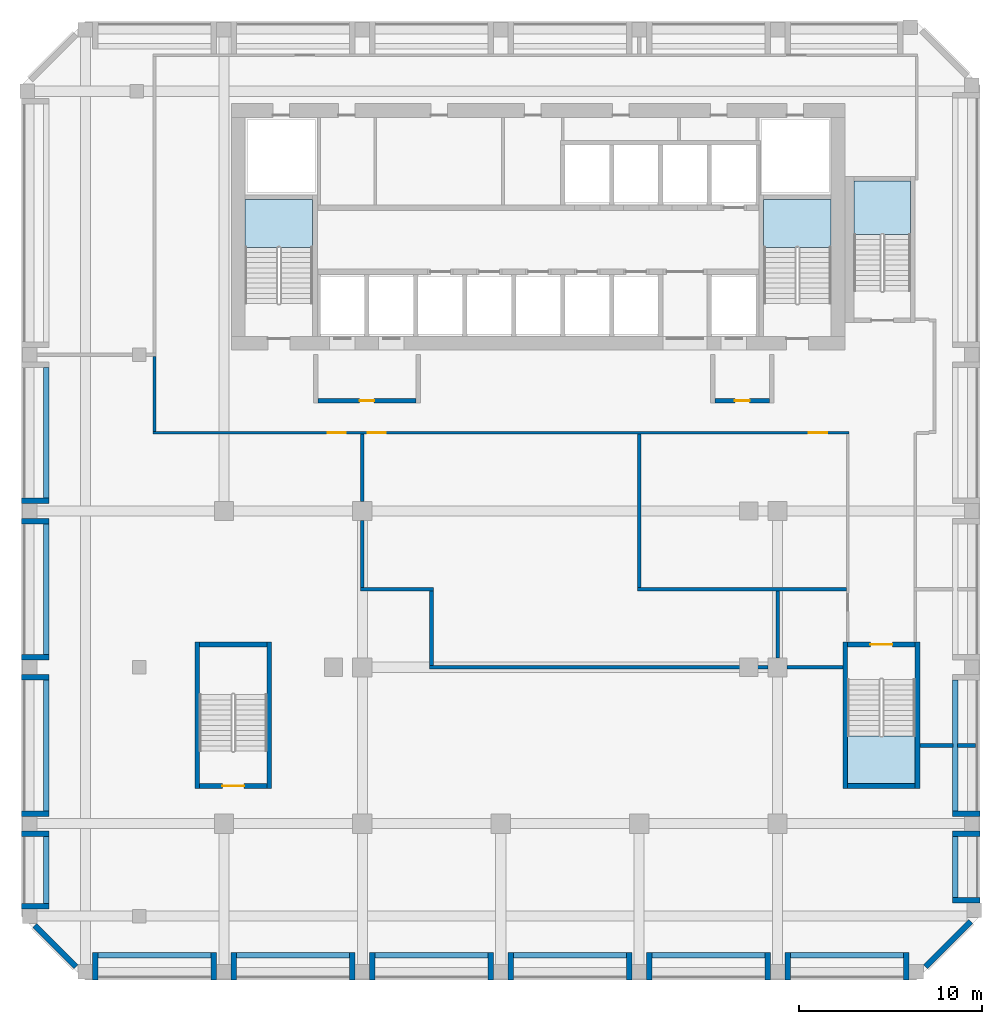
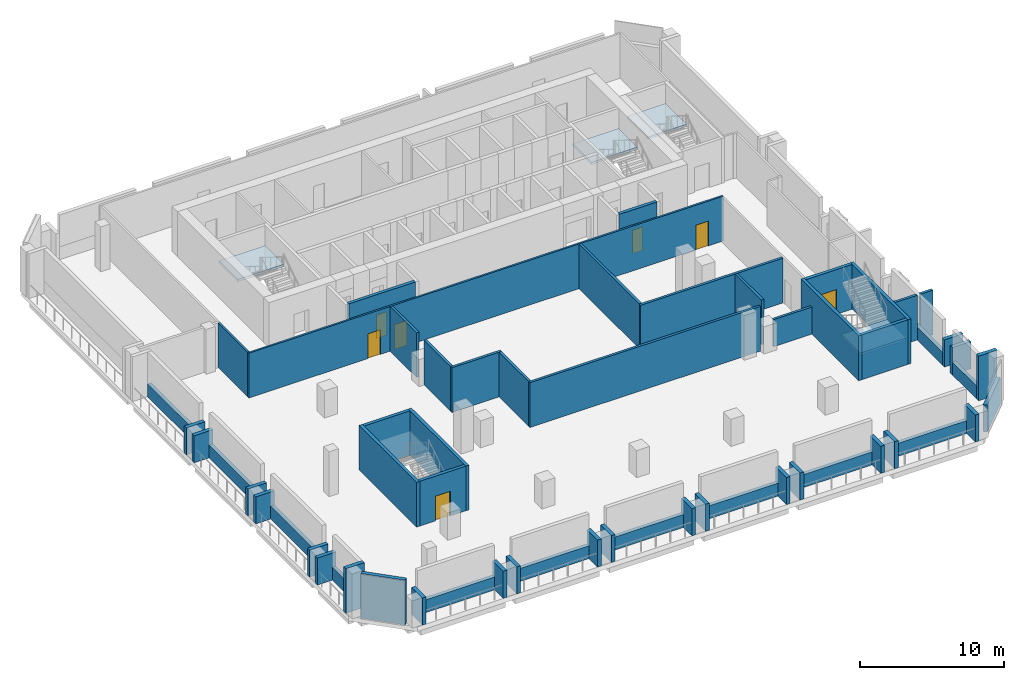
# One storey, part 2 of 9: 59 walls, 7 doors, 4 slabs, 7 openings, 4 elements without a shape of their own.
"""IFC4 building model written with IfcOpenShell, lengths in metres."""

import ifcopenshell
import ifcopenshell.guid

model = None  # the IFC model being written
_history = None  # IfcOwnerHistory: only IFC2X3 demands one
_inside = {}  # id of a spatial element -> (the spatial element, [elements in it])
_under = {}  # id of a project, library or spatial element -> (it, [spatial elements below it])
_declared = {}  # id of a project -> (the project, [libraries it declares])
_typed = {}  # id of a type object -> (the type object, [elements of that type])
_made_of = {}  # id of a material, layer set ... -> (it, [elements and type objects made of it])


def new_model(schema):
    """Start an empty IFC model of exactly this schema.

    Asked for "IFC4X3", IfcOpenShell would pick the latest addendum, in which some entities
    have other attributes; the version numbers below select the first issue.
    IFC2X3 requires an IfcOwnerHistory on every rooted entity: one is made here for all.
    """
    global model, _history
    if schema == "IFC4X3":
        model = ifcopenshell.file(schema_version=(4, 3, 0, 0))
    else:
        model = ifcopenshell.file(schema=schema)
    _inside.clear()
    _under.clear()
    _declared.clear()
    _typed.clear()
    _made_of.clear()
    _history = None
    if model.schema == "IFC2X3":
        org = make("IfcOrganization", Name="unknown")
        user = make(
            "IfcPersonAndOrganization",
            ThePerson=make("IfcPerson", FamilyName="unknown"),
            TheOrganization=org,
        )
        app = make(
            "IfcApplication",
            ApplicationDeveloper=org,
            Version="unknown",
            ApplicationFullName="unknown",
            ApplicationIdentifier="unknown",
        )
        _history = make(
            "IfcOwnerHistory",
            OwningUser=user,
            OwningApplication=app,
            ChangeAction="ADDED",
            CreationDate=0,
        )
    return model


def make(cls, **values):
    """One entity of the class cls with the attributes given. An attribute that is None is left unset."""
    return model.create_entity(
        cls, **{name: value for name, value in values.items() if value is not None}
    )


def rooted(cls, **values):
    """An entity with a GlobalId (a new one), such as an element, a storey or a relation."""
    return make(cls, GlobalId=ifcopenshell.guid.new(), OwnerHistory=_history, **values)


def si_unit(unit_type, name, prefix=None):
    """IfcSIUnit, for example si_unit("LENGTHUNIT", "METRE", prefix="MILLI")."""
    return make("IfcSIUnit", UnitType=unit_type, Prefix=prefix, Name=name)


def assignment(units):
    """IfcUnitAssignment: the units of a project."""
    return None if units is None else make("IfcUnitAssignment", Units=units)


def point(xyz):
    """IfcCartesianPoint."""
    return None if xyz is None else make("IfcCartesianPoint", Coordinates=xyz)


def direction(xyz):
    """IfcDirection."""
    return None if xyz is None else make("IfcDirection", DirectionRatios=xyz)


def frame(location, z_axis=None, x_axis=None):
    """IfcAxis2Placement3D, a coordinate frame: its origin and axes. An axis left out is left unset."""
    return make(
        "IfcAxis2Placement3D",
        Location=point(location),
        Axis=direction(z_axis),
        RefDirection=direction(x_axis),
    )


def frame_2d(location, x_axis=None):
    """IfcAxis2Placement2D, a coordinate frame in the plane: its origin and x axis."""
    return make(
        "IfcAxis2Placement2D", Location=point(location), RefDirection=direction(x_axis)
    )


def origin():
    """The frame at (0, 0, 0) with its axes left unset."""
    return frame((0.0, 0.0, 0.0))


def place(relative_to, where):
    """IfcLocalPlacement: puts the frame where relative to a parent placement (None: the world)."""
    return make(
        "IfcLocalPlacement", PlacementRelTo=relative_to, RelativePlacement=where
    )


def context(
    kind, dimensions, precision=None, world=None, true_north=None, identifier=None
):
    """IfcGeometricRepresentationContext, for example the 3D "Model" context."""
    return make(
        "IfcGeometricRepresentationContext",
        ContextIdentifier=identifier,
        ContextType=kind,
        CoordinateSpaceDimension=dimensions,
        Precision=precision,
        WorldCoordinateSystem=world,
        TrueNorth=true_north,
    )


def subcontext(parent, identifier, kind, view, scale=None):
    """IfcGeometricRepresentationSubContext, for example "Body" below "Model"."""
    return make(
        "IfcGeometricRepresentationSubContext",
        ContextIdentifier=identifier,
        ContextType=kind,
        ParentContext=parent,
        TargetScale=scale,
        TargetView=view,
    )


def project(units=None, contexts=None):
    """IfcProject with its units and contexts."""
    return rooted(
        "IfcProject",
        Name="project",
        RepresentationContexts=contexts,
        UnitsInContext=assignment(units),
    )


def spatial(cls, under=None, at=None, **own):
    """A site, building, storey or space (cls), placed at a placement, below another one or the project."""
    s = rooted(cls, ObjectPlacement=at, **own)
    if under is not None:
        _under.setdefault(under.id(), (under, []))[1].append(s)
    return s


def polyline(points):
    """IfcPolyline through the points."""
    return make("IfcPolyline", Points=[point(p) for p in points])


def profile(cls, at=None, kind="AREA", **sizes):
    """A parametric profile (cls). Its sizes go by their IFC names, for example OverallWidth=200.0."""
    return make(cls, ProfileType=kind, Position=at, **sizes)


def rectangle(**sizes):
    """IfcRectangleProfileDef."""
    return profile("IfcRectangleProfileDef", **sizes)


def outline(outer, holes=None, kind="AREA"):
    """IfcArbitraryClosedProfileDef: a profile drawn as a closed curve; with holes, ...WithVoids."""
    if holes is None:
        return make("IfcArbitraryClosedProfileDef", ProfileType=kind, OuterCurve=outer)
    return make(
        "IfcArbitraryProfileDefWithVoids",
        ProfileType=kind,
        OuterCurve=outer,
        InnerCurves=holes,
    )


def extrude(swept, where, along, depth):
    """IfcExtrudedAreaSolid: the profile swept, set in the frame where, extruded along a direction by depth."""
    return make(
        "IfcExtrudedAreaSolid",
        SweptArea=swept,
        Position=where,
        ExtrudedDirection=direction(along),
        Depth=depth,
    )


def shape(context_of_items, identifier, shape_type, items):
    """IfcShapeRepresentation: the items that make up one representation, for example the "Body"."""
    return make(
        "IfcShapeRepresentation",
        ContextOfItems=context_of_items,
        RepresentationIdentifier=identifier,
        RepresentationType=shape_type,
        Items=items,
    )


def source(mapping_origin, context_of_items, identifier, shape_type, items):
    """IfcRepresentationMap: a shape defined once, which mapped items show again and again."""
    return make(
        "IfcRepresentationMap",
        MappingOrigin=mapping_origin,
        MappedRepresentation=shape(context_of_items, identifier, shape_type, items),
    )


def transform(
    local_origin,
    x_axis=None,
    y_axis=None,
    z_axis=None,
    scale=None,
    scale2=None,
    scale3=None,
    uniform=True,
):
    """IfcCartesianTransformationOperator3D, or its non-uniform kind. x_axis, y_axis, z_axis: its Axis1, 2, 3."""
    if uniform:
        return make(
            "IfcCartesianTransformationOperator3D",
            Axis1=direction(x_axis),
            Axis2=direction(y_axis),
            LocalOrigin=point(local_origin),
            Scale=scale,
            Axis3=direction(z_axis),
        )
    return make(
        "IfcCartesianTransformationOperator3DnonUniform",
        Axis1=direction(x_axis),
        Axis2=direction(y_axis),
        LocalOrigin=point(local_origin),
        Scale=scale,
        Axis3=direction(z_axis),
        Scale2=scale2,
        Scale3=scale3,
    )


def mapped(mapping_source, mapping_target):
    """IfcMappedItem: shows the shape of a source again, moved by a transform."""
    return make(
        "IfcMappedItem", MappingSource=mapping_source, MappingTarget=mapping_target
    )


def material(Name=None, Category=None):
    """IfcMaterial."""
    return make("IfcMaterial", Name=Name, Category=Category)


def layer(
    of_material, thickness, ventilated=None, Name=None, Category=None, Priority=None
):
    """IfcMaterialLayer: one layer of a wall or slab, of a material (None: an air gap)."""
    return make(
        "IfcMaterialLayer",
        Material=of_material,
        LayerThickness=thickness,
        IsVentilated=ventilated,
        Name=Name,
        Category=Category,
        Priority=Priority,
    )


def layer_set(layers, Name=None):
    """IfcMaterialLayerSet."""
    return make("IfcMaterialLayerSet", MaterialLayers=layers, LayerSetName=Name)


def made_of(thing, what):
    """Note that an element or type object is made of a material, layer set ...; save() writes the relation."""
    if what is not None:
        _made_of.setdefault(what.id(), (what, []))[1].append(thing)
    return thing


def type_object(cls, material=None, **own):
    """A type object (cls), such as IfcWallType, which elements share."""
    return made_of(rooted(cls, **own), material)


def element(
    cls,
    number,
    at=None,
    inside=None,
    cuts=None,
    type_object=None,
    material=None,
    context=None,
    identifier="Body",
    shape_type=None,
    held_by="IfcProductDefinitionShape",
    body=None,
    shapes=None,
    **own,
):
    """One element of the class cls, such as IfcWall. Its Tag is "e" and its number.

    at: its placement. inside: the storey or other place that contains it. cuts: it is an
    opening in that element (IfcRelVoidsElement). A single representation is given by context,
    identifier, shape_type and body (its items); several are given by shapes. held_by: the class
    of the entity that holds the representations. save() writes the other relations.
    """
    e = rooted(cls, Tag="e%d" % number, ObjectPlacement=at, **own)
    if body is not None:
        shapes = [shape(context, identifier, shape_type, body)]
    if shapes is not None:
        e.Representation = make(held_by, Representations=shapes)
    if inside is not None:
        _inside.setdefault(inside.id(), (inside, []))[1].append(e)
    if cuts is not None:
        rooted(
            "IfcRelVoidsElement", RelatingBuildingElement=cuts, RelatedOpeningElement=e
        )
    if type_object is not None:
        _typed.setdefault(type_object.id(), (type_object, []))[1].append(e)
    return made_of(e, material)


def fill(opening, filler):
    """IfcRelFillsElement: the door or window that sits in an opening."""
    return rooted(
        "IfcRelFillsElement",
        RelatingOpeningElement=opening,
        RelatedBuildingElement=filler,
    )


def aggregate(whole, parts):
    """IfcRelAggregates: a whole, such as a stair, and the parts it consists of."""
    return rooted("IfcRelAggregates", RelatingObject=whole, RelatedObjects=parts)


def save(model, path):
    """Write the relations noted so far, then the file.

    IfcRelAggregates (storeys below a building ...), IfcRelContainedInSpatialStructure (elements
    in a storey), IfcRelDefinesByType, IfcRelAssociatesMaterial and IfcRelDeclares: one each for
    every whole, place, type object, material and project.
    """
    for whole, parts in _under.values():
        aggregate(whole, parts)
    for where, things in _inside.values():
        rooted(
            "IfcRelContainedInSpatialStructure",
            RelatedElements=things,
            RelatingStructure=where,
        )
    for kind, things in _typed.values():
        rooted("IfcRelDefinesByType", RelatedObjects=things, RelatingType=kind)
    for what, things in _made_of.values():
        rooted("IfcRelAssociatesMaterial", RelatedObjects=things, RelatingMaterial=what)
    for by, libraries in _declared.values():
        rooted("IfcRelDeclares", RelatingContext=by, RelatedDefinitions=libraries)
    model.write(path)


model = new_model("IFC4")

# Units and contexts
model_context = context("Model", 3, precision=1e-05, world=origin(), true_north=direction((0.0, 1.0)))
body_context = subcontext(model_context, "Body", "Model", "MODEL_VIEW")
ifc_project = project(units=[si_unit("LENGTHUNIT", "METRE"), si_unit("AREAUNIT", "SQUARE_METRE"), si_unit("VOLUMEUNIT", "CUBIC_METRE"), si_unit("PLANEANGLEUNIT", "RADIAN"), si_unit("MASSUNIT", "GRAM", prefix="KILO")], contexts=[model_context])

# Site, building, storey
site_placement = place(None, origin())
site = spatial("IfcSite", under=ifc_project, at=site_placement, CompositionType="ELEMENT")
building_placement = place(site_placement, origin())
building = spatial("IfcBuilding", under=site, at=building_placement, Name="Kilnfold Tower and Market Hall", CompositionType="ELEMENT")
storey_placement = place(building_placement, frame((0.0, 0.0, 195.699951171875)))
storey = spatial("IfcBuildingStorey", under=building, at=storey_placement, Name="L47 Plant Transfer Level", CompositionType="ELEMENT", Elevation=195.699951171875)

# Stair, slab
ifc_material_1 = material(Name="Concrete C40/50", Category="concrete")
stair_type_1 = type_object("IfcStairType", Name="CORE STAIR 1800", PredefinedType="HALF_TURN_STAIR", material=ifc_material_1)
stair_1_placement = place(storey_placement, origin())
stair_1 = element("IfcStair", 1, at=stair_1_placement, inside=storey, type_object=stair_type_1, Name="L47 Plant Transfer Level ST1", PredefinedType="HALF_TURN_STAIR")
ifc_material_2 = material(Name="Concrete C40/50", Category="concrete")
ifc_layer_1 = layer(ifc_material_2, 0.199951171875)
ifc_layer_set_1 = layer_set([ifc_layer_1], Name="Concrete C40/50")
slab_type = type_object("IfcSlabType", Name="CORE STAIR LANDING 200", PredefinedType="LANDING", material=ifc_layer_set_1)
shared_shape_1 = source(origin(), body_context, "Body", "SweptSolid", [
    extrude(outline(polyline([(-11.300048828125, 13.8798828125), (-11.300048828125, 16.5), (-15.0, 16.5), (-15.0, 13.8798828125), (-11.300048828125, 13.8798828125)])), origin(), (0.0, 0.0, 1.0), 0.199951171875),
])
slab_1_placement = place(storey_placement, frame((0.0, 0.0, 1.900146484375)))
slab_1 = element("IfcSlab", 2, at=slab_1_placement, type_object=slab_type, Name="ST1 landing 1", PredefinedType="LANDING", context=body_context, shape_type="MappedRepresentation", body=[
    mapped(shared_shape_1, transform((0.0, 0.0, 0.0))),
])
aggregate(stair_1, [slab_1])

stair_2_placement = place(storey_placement, origin())
stair_2 = element("IfcStair", 3, at=stair_2_placement, inside=storey, type_object=stair_type_1, Name="L47 Plant Transfer Level ST2", PredefinedType="HALF_TURN_STAIR")
shared_shape_2 = source(origin(), body_context, "Body", "SweptSolid", [
    extrude(outline(polyline([(17.10009765625, 13.8798828125), (17.10009765625, 16.5), (13.39990234375, 16.5), (13.39990234375, 13.8798828125), (17.10009765625, 13.8798828125)])), origin(), (0.0, 0.0, 1.0), 0.199951171875),
])
slab_2_placement = place(storey_placement, frame((0.0, 0.0, 1.900146484375)))
slab_2 = element("IfcSlab", 4, at=slab_2_placement, type_object=slab_type, Name="ST2 landing 1", PredefinedType="LANDING", context=body_context, shape_type="MappedRepresentation", body=[
    mapped(shared_shape_2, transform((0.0, 0.0, 0.0))),
])
aggregate(stair_2, [slab_2])

stair_3_placement = place(storey_placement, origin())
stair_3 = element("IfcStair", 5, at=stair_3_placement, inside=storey, type_object=stair_type_1, Name="L47 Plant Transfer Level ST4", PredefinedType="HALF_TURN_STAIR")
shared_shape_3 = source(origin(), body_context, "Body", "SweptSolid", [
    extrude(outline(polyline([(18.0, -12.8798828125), (18.0, -15.5), (21.699951171875, -15.5), (21.699951171875, -12.8798828125), (18.0, -12.8798828125)])), origin(), (0.0, 0.0, 1.0), 0.199951171875),
])
slab_3_placement = place(storey_placement, frame((0.0, 0.0, 1.900146484375)))
slab_3 = element("IfcSlab", 6, at=slab_3_placement, type_object=slab_type, Name="ST4 landing 1", PredefinedType="LANDING", context=body_context, shape_type="MappedRepresentation", body=[
    mapped(shared_shape_3, transform((0.0, 0.0, 0.0))),
])
aggregate(stair_3, [slab_3])

ifc_material_3 = material(Name="Concrete C40/50", Category="concrete")
stair_type_2 = type_object("IfcStairType", Name="CORE STAIR 1500", PredefinedType="HALF_TURN_STAIR", material=ifc_material_3)
stair_4_placement = place(storey_placement, origin())
stair_4 = element("IfcStair", 7, at=stair_4_placement, inside=storey, type_object=stair_type_2, Name="L47 Plant Transfer Level ST5", PredefinedType="HALF_TURN_STAIR")
shared_shape_4 = source(origin(), body_context, "Body", "SweptSolid", [
    extrude(outline(polyline([(21.449951171875, 14.580078125), (21.449951171875, 17.5), (18.35009765625, 17.5), (18.35009765625, 14.580078125), (21.449951171875, 14.580078125)])), origin(), (0.0, 0.0, 1.0), 0.199951171875),
])
slab_4_placement = place(storey_placement, frame((0.0, 0.0, 1.900146484375)))
slab_4 = element("IfcSlab", 8, at=slab_4_placement, type_object=slab_type, Name="ST5 landing 1", PredefinedType="LANDING", context=body_context, shape_type="MappedRepresentation", body=[
    mapped(shared_shape_4, transform((0.0, 0.0, 0.0))),
])
aggregate(stair_4, [slab_4])

# Wall, openings, doors
ifc_material_4 = material(Name="Gypsum board on steel studs", Category="steel")
ifc_layer_2 = layer(ifc_material_4, 0.14990234375)
ifc_layer_set_2 = layer_set([ifc_layer_2], Name="Gypsum board on steel studs")
wall_type_1 = type_object("IfcWallType", Name="WALL CORRIDOR 150", PredefinedType="PARTITIONING", material=ifc_layer_set_2)
wall_1_placement = place(storey_placement, frame((-20.033935546875, 3.718994140625, 0.0), z_axis=(0.0, 0.0, 1.0), x_axis=(1.0, 0.0, 0.0)))
wall_1 = element("IfcWall", 9, at=wall_1_placement, inside=storey, type_object=wall_type_1, Name="Partition LY29.1", PredefinedType="PARTITIONING", context=body_context, shape_type="SweptSolid", body=[
    extrude(rectangle(XDim=38.10888671875, YDim=0.14990234375, at=frame_2d((19.054443359375, 0.0))), origin(), (0.0, 0.0, 1.0), 3.800048828125),
])
opening_1_placement = place(wall_1_placement, frame((9.556884765625, 0.0, 0.0)))
opening_1 = element("IfcOpeningElement", 10, at=opening_1_placement, cuts=wall_1, Name="Opening D4", PredefinedType="OPENING", context=body_context, shape_type="SweptSolid", body=[
    extrude(rectangle(XDim=1.0, YDim=2.10009765625, at=frame_2d((0.5, 1.050048828125))), frame((0.0, 0.0849609375, 0.0), z_axis=(0.0, -1.0, 0.0), x_axis=(1.0, 0.0, 0.0)), (0.0, 0.0, 1.0), 0.169921875),
])
opening_2_placement = place(wall_1_placement, frame((11.741943359375, 0.0, 0.0)))
opening_2 = element("IfcOpeningElement", 11, at=opening_2_placement, cuts=wall_1, Name="Opening D4", PredefinedType="OPENING", context=body_context, shape_type="SweptSolid", body=[
    extrude(rectangle(XDim=1.0, YDim=2.10009765625, at=frame_2d((0.5, 1.050048828125))), frame((0.0, 0.0849609375, 0.0), z_axis=(0.0, -1.0, 0.0), x_axis=(1.0, 0.0, 0.0)), (0.0, 0.0, 1.0), 0.169921875),
])
opening_3_placement = place(wall_1_placement, frame((35.908935546875, 0.0, 0.0)))
opening_3 = element("IfcOpeningElement", 12, at=opening_3_placement, cuts=wall_1, Name="Opening D4", PredefinedType="OPENING", context=body_context, shape_type="SweptSolid", body=[
    extrude(rectangle(XDim=1.0, YDim=2.10009765625, at=frame_2d((0.5, 1.050048828125))), frame((0.0, 0.0849609375, 0.0), z_axis=(0.0, -1.0, 0.0), x_axis=(1.0, 0.0, 0.0)), (0.0, 0.0, 1.0), 0.169921875),
])
ifc_material_5 = material(Name="Timber veneer door leaf in steel frame", Category="steel")
door_type_1 = type_object("IfcDoorType", Name="DOOR SERVICE 1000 X2100", OperationType="NOTDEFINED", PredefinedType="DOOR", material=ifc_material_5)
door_1_placement = place(opening_1_placement, origin())
door_1 = element("IfcDoor", 13, at=door_1_placement, inside=storey, type_object=door_type_1, Name="Door D4", OperationType="SINGLE_SWING_RIGHT", OverallHeight=2.10009765625, OverallWidth=1.0, PredefinedType="DOOR", context=body_context, shape_type="SweptSolid", body=[
    extrude(rectangle(XDim=1.0, YDim=2.10009765625, at=frame_2d((0.5, 1.050048828125))), frame((0.0, 0.02490234375, 0.0), z_axis=(0.0, -1.0, 0.0), x_axis=(1.0, 0.0, 0.0)), (0.0, 0.0, 1.0), 0.050048828125),
])
fill(opening_1, door_1)
door_2_placement = place(opening_2_placement, origin())
door_2 = element("IfcDoor", 14, at=door_2_placement, inside=storey, type_object=door_type_1, Name="Door D4", OperationType="SINGLE_SWING_RIGHT", OverallHeight=2.10009765625, OverallWidth=1.0, PredefinedType="DOOR", context=body_context, shape_type="SweptSolid", body=[
    extrude(rectangle(XDim=1.0, YDim=2.10009765625, at=frame_2d((0.5, 1.050048828125))), frame((0.0, 0.02490234375, 0.0), z_axis=(0.0, -1.0, 0.0), x_axis=(1.0, 0.0, 0.0)), (0.0, 0.0, 1.0), 0.050048828125),
])
fill(opening_2, door_2)
door_3_placement = place(opening_3_placement, origin())
door_3 = element("IfcDoor", 15, at=door_3_placement, inside=storey, type_object=door_type_1, Name="Door D4", OperationType="SINGLE_SWING_RIGHT", OverallHeight=2.10009765625, OverallWidth=1.0, PredefinedType="DOOR", context=body_context, shape_type="SweptSolid", body=[
    extrude(rectangle(XDim=1.0, YDim=2.10009765625, at=frame_2d((0.5, 1.050048828125))), frame((0.0, 0.02490234375, 0.0), z_axis=(0.0, -1.0, 0.0), x_axis=(1.0, 0.0, 0.0)), (0.0, 0.0, 1.0), 0.050048828125),
])
fill(opening_3, door_3)

# Walls
wall_2_placement = place(storey_placement, frame((-19.958984375, 3.7939453125, 0.0), z_axis=(0.0, 0.0, 1.0), x_axis=(0.0, 1.0, 0.0)))
element("IfcWall", 16, at=wall_2_placement, inside=storey, type_object=wall_type_1, Name="Partition LY29.2", PredefinedType="PARTITIONING", context=body_context, shape_type="SweptSolid", body=[
    extrude(rectangle(XDim=4.115966796875, YDim=0.14990234375, at=frame_2d((2.05810546875, 0.0))), origin(), (0.0, 0.0, 1.0), 3.800048828125),
])
ifc_material_6 = material(Name="Gypsum board on steel studs", Category="steel")
ifc_layer_3 = layer(ifc_material_6, 0.199951171875)
ifc_layer_set_3 = layer_set([ifc_layer_3], Name="Gypsum board on steel studs")
wall_type_2 = type_object("IfcWallType", Name="WALL PARTY 200", PredefinedType="PARTITIONING", material=ifc_layer_set_3)
wall_3_placement = place(storey_placement, frame((-8.5830078125, -0.037109375, 0.0), z_axis=(0.0, 0.0, 1.0), x_axis=(0.0, 1.0, 0.0)))
element("IfcWall", 17, at=wall_3_placement, inside=storey, type_object=wall_type_2, Name="Partition LY29.14", PredefinedType="PARTITIONING", context=body_context, shape_type="SweptSolid", body=[
    extrude(rectangle(XDim=3.68017578125, YDim=0.199951171875, at=frame_2d((1.840087890625, 0.0))), origin(), (0.0, 0.0, 1.0), 3.800048828125),
])
wall_4_placement = place(storey_placement, frame((-8.5830078125, -4.742919921875, 0.0), z_axis=(0.0, 0.0, 1.0), x_axis=(0.0, 1.0, 0.0)))
element("IfcWall", 18, at=wall_4_placement, inside=storey, type_object=wall_type_2, Name="Partition LY29.15", PredefinedType="PARTITIONING", context=body_context, shape_type="SweptSolid", body=[
    extrude(rectangle(XDim=3.656005859375, YDim=0.199951171875, at=frame_2d((1.828125, 0.0))), origin(), (0.0, 0.0, 1.0), 3.800048828125),
])
wall_5_placement = place(storey_placement, frame((-8.68310546875, -4.843017578125, 0.0), z_axis=(0.0, 0.0, 1.0), x_axis=(1.0, 0.0, 0.0)))
element("IfcWall", 19, at=wall_5_placement, inside=storey, type_object=wall_type_2, Name="Partition LY29.16", PredefinedType="PARTITIONING", context=body_context, shape_type="SweptSolid", body=[
    extrude(rectangle(XDim=3.9912109375, YDim=0.199951171875, at=frame_2d((1.99560546875, 0.0))), origin(), (0.0, 0.0, 1.0), 3.800048828125),
])
wall_6_placement = place(storey_placement, frame((-4.7919921875, -9.02490234375, 0.0), z_axis=(0.0, 0.0, 1.0), x_axis=(0.0, 1.0, 0.0)))
element("IfcWall", 20, at=wall_6_placement, inside=storey, type_object=wall_type_2, Name="Partition LY29.17", PredefinedType="PARTITIONING", context=body_context, shape_type="SweptSolid", body=[
    extrude(rectangle(XDim=4.081787109375, YDim=0.199951171875, at=frame_2d((2.041015625, 0.0))), origin(), (0.0, 0.0, 1.0), 3.800048828125),
])
wall_7_placement = place(storey_placement, frame((-4.89208984375, -9.125, 0.0), z_axis=(0.0, 0.0, 1.0), x_axis=(1.0, 0.0, 0.0)))
element("IfcWall", 21, at=wall_7_placement, inside=storey, type_object=wall_type_2, Name="Partition LY29.18", PredefinedType="PARTITIONING", context=body_context, shape_type="SweptSolid", body=[
    extrude(rectangle(XDim=18.5341796875, YDim=0.199951171875, at=frame_2d((9.26708984375, 0.0))), origin(), (0.0, 0.0, 1.0), 3.800048828125),
])
wall_8_placement = place(storey_placement, frame((14.69189453125, -9.125, 0.0), z_axis=(0.0, 0.0, 1.0), x_axis=(1.0, 0.0, 0.0)))
element("IfcWall", 22, at=wall_8_placement, inside=storey, type_object=wall_type_2, Name="Partition LY29.19", PredefinedType="PARTITIONING", context=body_context, shape_type="SweptSolid", body=[
    extrude(rectangle(XDim=3.05810546875, YDim=0.199951171875, at=frame_2d((1.529052734375, 0.0))), origin(), (0.0, 0.0, 1.0), 2.300048828125),
])
wall_9_placement = place(storey_placement, frame((25.0, -13.406005859375, 0.0), z_axis=(0.0, 0.0, 1.0), x_axis=(-1.0, 0.0, 0.0)))
element("IfcWall", 23, at=wall_9_placement, inside=storey, type_object=wall_type_2, Name="Partition LY29.20", PredefinedType="PARTITIONING", context=body_context, shape_type="SweptSolid", body=[
    extrude(rectangle(XDim=0.97998046875, YDim=0.199951171875, at=frame_2d((0.489990234375, 0.0))), origin(), (0.0, 0.0, 1.0), 3.800048828125),
])
wall_10_placement = place(storey_placement, frame((23.780029296875, -13.406005859375, 0.0), z_axis=(0.0, 0.0, 1.0), x_axis=(-1.0, 0.0, 0.0)))
element("IfcWall", 24, at=wall_10_placement, inside=storey, type_object=wall_type_2, Name="Partition LY29.21", PredefinedType="PARTITIONING", context=body_context, shape_type="SweptSolid", body=[
    extrude(rectangle(XDim=1.830078125, YDim=0.199951171875, at=frame_2d((0.9150390625, 0.0))), origin(), (0.0, 0.0, 1.0), 3.800048828125),
])
wall_11_placement = place(storey_placement, frame((6.5830078125, -4.742919921875, 0.0), z_axis=(0.0, 0.0, 1.0), x_axis=(0.0, 1.0, 0.0)))
element("IfcWall", 25, at=wall_11_placement, inside=storey, type_object=wall_type_2, Name="Partition LY29.23", PredefinedType="PARTITIONING", context=body_context, shape_type="SweptSolid", body=[
    extrude(rectangle(XDim=8.385986328125, YDim=0.199951171875, at=frame_2d((4.19287109375, 0.0))), origin(), (0.0, 0.0, 1.0), 3.800048828125),
])
wall_12_placement = place(storey_placement, frame((6.48291015625, -4.843017578125, 0.0), z_axis=(0.0, 0.0, 1.0), x_axis=(1.0, 0.0, 0.0)))
element("IfcWall", 26, at=wall_12_placement, inside=storey, type_object=wall_type_2, Name="Partition LY29.24", PredefinedType="PARTITIONING", context=body_context, shape_type="SweptSolid", body=[
    extrude(rectangle(XDim=11.442138671875, YDim=0.199951171875, at=frame_2d((5.72119140625, 0.0))), origin(), (0.0, 0.0, 1.0), 3.800048828125),
])
wall_13_placement = place(storey_placement, frame((14.1669921875, -8.60009765625, 0.0), z_axis=(0.0, 0.0, 1.0), x_axis=(0.0, 1.0, 0.0)))
element("IfcWall", 27, at=wall_13_placement, inside=storey, type_object=wall_type_2, Name="Partition LY29.25", PredefinedType="PARTITIONING", context=body_context, shape_type="SweptSolid", body=[
    extrude(rectangle(XDim=3.656982421875, YDim=0.199951171875, at=frame_2d((1.82861328125, 0.0))), origin(), (0.0, 0.0, 1.0), 3.800048828125),
])

# Wall, opening, door
ifc_material_7 = material(Name="Concrete C60", Category="concrete")
ifc_layer_4 = layer(ifc_material_7, 0.25)
ifc_layer_set_4 = layer_set([ifc_layer_4], Name="Concrete C60")
wall_type_3 = type_object("IfcWallType", Name="CORE WALL 250 C60", PredefinedType="SHEAR", material=ifc_layer_set_4)
shared_shape_5 = source(origin(), body_context, "Body", "SweptSolid", [
    extrude(rectangle(XDim=3.699951171875, YDim=0.25, at=frame_2d((1.85009765625, 0.0))), origin(), (0.0, 0.0, 1.0), 3.800048828125),
])
wall_14_placement = place(storey_placement, frame((-17.5, -15.625, 0.0), z_axis=(0.0, 0.0, 1.0), x_axis=(1.0, 0.0, 0.0)))
wall_14 = element("IfcWall", 28, at=wall_14_placement, inside=storey, type_object=wall_type_3, Name="Stair enclosure ST3", PredefinedType="SHEAR", context=body_context, shape_type="MappedRepresentation", body=[
    mapped(shared_shape_5, transform((0.0, 0.0, 0.0))),
])
opening_4_placement = place(wall_14_placement, frame((1.25, 0.0, 0.0)))
opening_4 = element("IfcOpeningElement", 29, at=opening_4_placement, cuts=wall_14, Name="Opening SD1", PredefinedType="OPENING", context=body_context, shape_type="SweptSolid", body=[
    extrude(rectangle(XDim=1.199951171875, YDim=2.10009765625, at=frame_2d((0.60009765625, 1.050048828125))), frame((0.0, 0.135009765625, 0.0), z_axis=(0.0, -1.0, 0.0), x_axis=(1.0, 0.0, 0.0)), (0.0, 0.0, 1.0), 0.27001953125),
])
ifc_material_8 = material(Name="Steel door set with fire-resisting leaf", Category="steel")
door_type_2 = type_object("IfcDoorType", Name="STAIR FLOOR DOOR 1200X2100", OperationType="NOTDEFINED", PredefinedType="DOOR", material=ifc_material_8)
door_4_placement = place(opening_4_placement, origin())
door_4 = element("IfcDoor", 30, at=door_4_placement, inside=storey, type_object=door_type_2, Name="Exit stair ST3 door", OperationType="DOUBLE_DOOR_SINGLE_SWING", OverallHeight=2.10009765625, OverallWidth=1.199951171875, PredefinedType="DOOR", context=body_context, shape_type="SweptSolid", body=[
    extrude(rectangle(XDim=1.199951171875, YDim=2.10009765625, at=frame_2d((0.60009765625, 1.050048828125))), frame((0.0, 0.02490234375, 0.0), z_axis=(0.0, -1.0, 0.0), x_axis=(1.0, 0.0, 0.0)), (0.0, 0.0, 1.0), 0.050048828125),
])
fill(opening_4, door_4)

# Walls
for number, where, z_axis, x_axis, name in (
    (31, (-17.5, -7.875, 0.0), (0.0, 0.0, 1.0), (1.0, 0.0, 0.0), "Stair enclosure ST3"),
    (32, (18.0, -15.625, 0.0), (0.0, 0.0, 1.0), (1.0, 0.0, 0.0), "Stair enclosure ST4"),
):
    element("IfcWall", number, at=place(storey_placement, frame(where, z_axis=z_axis, x_axis=x_axis)), inside=storey, type_object=wall_type_3, Name=name, PredefinedType="SHEAR", context=body_context, shape_type="MappedRepresentation", body=[
        mapped(shared_shape_5, transform((0.0, 0.0, 0.0))),
    ])

# Wall, opening, door
wall_15_placement = place(storey_placement, frame((18.0, -7.875, 0.0), z_axis=(0.0, 0.0, 1.0), x_axis=(1.0, 0.0, 0.0)))
wall_15 = element("IfcWall", 33, at=wall_15_placement, inside=storey, type_object=wall_type_3, Name="Stair enclosure ST4", PredefinedType="SHEAR", context=body_context, shape_type="MappedRepresentation", body=[
    mapped(shared_shape_5, transform((0.0, 0.0, 0.0))),
])
opening_5_placement = place(wall_15_placement, frame((1.25, 0.0, 0.0)))
opening_5 = element("IfcOpeningElement", 34, at=opening_5_placement, cuts=wall_15, Name="Opening SD1", PredefinedType="OPENING", context=body_context, shape_type="SweptSolid", body=[
    extrude(rectangle(XDim=1.199951171875, YDim=2.10009765625, at=frame_2d((0.60009765625, 1.050048828125))), frame((0.0, 0.135009765625, 0.0), z_axis=(0.0, -1.0, 0.0), x_axis=(1.0, 0.0, 0.0)), (0.0, 0.0, 1.0), 0.27001953125),
])
door_5_placement = place(opening_5_placement, origin())
door_5 = element("IfcDoor", 35, at=door_5_placement, inside=storey, type_object=door_type_2, Name="Exit stair ST4 door", OperationType="DOUBLE_DOOR_SINGLE_SWING", OverallHeight=2.10009765625, OverallWidth=1.199951171875, PredefinedType="DOOR", context=body_context, shape_type="SweptSolid", body=[
    extrude(rectangle(XDim=1.199951171875, YDim=2.10009765625, at=frame_2d((0.60009765625, 1.050048828125))), frame((0.0, 0.02490234375, 0.0), z_axis=(0.0, -1.0, 0.0), x_axis=(1.0, 0.0, 0.0)), (0.0, 0.0, 1.0), 0.050048828125),
])
fill(opening_5, door_5)

# Walls
shared_shape_6 = source(origin(), body_context, "Body", "SweptSolid", [
    extrude(rectangle(XDim=8.0, YDim=0.25, at=frame_2d((4.0, 0.0))), origin(), (0.0, 0.0, 1.0), 3.800048828125),
])
for number, where, z_axis, x_axis, name in (
    (36, (-17.625, -15.75, 0.0), (0.0, 0.0, 1.0), (0.0, 1.0, 0.0), "Stair enclosure ST3"),
    (37, (-13.675048828125, -15.75, 0.0), (0.0, 0.0, 1.0), (0.0, 1.0, 0.0), "Stair enclosure ST3"),
    (38, (17.875, -15.75, 0.0), (0.0, 0.0, 1.0), (0.0, 1.0, 0.0), "Stair enclosure ST4"),
    (39, (21.824951171875, -15.75, 0.0), (0.0, 0.0, 1.0), (0.0, 1.0, 0.0), "Stair enclosure ST4"),
):
    element("IfcWall", number, at=place(storey_placement, frame(where, z_axis=z_axis, x_axis=x_axis)), inside=storey, type_object=wall_type_3, Name=name, PredefinedType="SHEAR", context=body_context, shape_type="MappedRepresentation", body=[
        mapped(shared_shape_6, transform((0.0, 0.0, 0.0))),
    ])
ifc_material_9 = material(Name="Precast concrete C50/60", Category="concrete")
ifc_layer_5 = layer(ifc_material_9, 0.300048828125)
ifc_layer_set_5 = layer_set([ifc_layer_5], Name="Precast concrete C50/60")
wall_type_4 = type_object("IfcWallType", Name="PRECAST WALL 300", PredefinedType="SOLIDWALL", material=ifc_layer_set_5)
shared_shape_7 = source(origin(), body_context, "Body", "SweptSolid", [
    extrude(rectangle(XDim=1.5, YDim=0.300048828125, at=frame_2d((0.75, 0.0))), origin(), (0.0, 0.0, 1.0), 2.300048828125),
])
for number, where, z_axis, x_axis, name in (
    (40, (-23.199951171875, -26.25, 0.0), (0.0, 0.0, 1.0), (0.0, 1.0, 0.0), "Plant wall L47 S"),
    (41, (-16.716796875, -26.25, 0.0), (0.0, 0.0, 1.0), (0.0, 1.0, 0.0), "Plant wall L47 S"),
    (42, (-15.61669921875, -26.25, 0.0), (0.0, 0.0, 1.0), (0.0, 1.0, 0.0), "Plant wall L47 S"),
    (43, (-9.13330078125, -26.25, 0.0), (0.0, 0.0, 1.0), (0.0, 1.0, 0.0), "Plant wall L47 S"),
    (44, (-8.033203125, -26.25, 0.0), (0.0, 0.0, 1.0), (0.0, 1.0, 0.0), "Plant wall L47 S"),
    (45, (-1.550048828125, -26.25, 0.0), (0.0, 0.0, 1.0), (0.0, 1.0, 0.0), "Plant wall L47 S"),
    (46, (-0.449951171875, -26.25, 0.0), (0.0, 0.0, 1.0), (0.0, 1.0, 0.0), "Plant wall L47 S"),
    (47, (6.033203125, -26.25, 0.0), (0.0, 0.0, 1.0), (0.0, 1.0, 0.0), "Plant wall L47 S"),
    (48, (7.13330078125, -26.25, 0.0), (0.0, 0.0, 1.0), (0.0, 1.0, 0.0), "Plant wall L47 S"),
    (49, (13.61669921875, -26.25, 0.0), (0.0, 0.0, 1.0), (0.0, 1.0, 0.0), "Plant wall L47 S"),
    (50, (14.716796875, -26.25, 0.0), (0.0, 0.0, 1.0), (0.0, 1.0, 0.0), "Plant wall L47 S"),
    (51, (21.199951171875, -26.25, 0.0), (0.0, 0.0, 1.0), (0.0, 1.0, 0.0), "Plant wall L47 S"),
    (52, (25.25, -18.237548828125, 0.0), (0.0, 0.0, 1.0), (-1.0, 0.0, 0.0), "Plant wall L47 E"),
    (53, (25.25, -17.137451171875, 0.0), (0.0, 0.0, 1.0), (-1.0, 0.0, 0.0), "Plant wall L47 E"),
    (54, (-27.25, -0.012451171875, 0.0), (0.0, 0.0, 1.0), (1.0, 0.0, 0.0), "Plant wall L47 W"),
    (55, (-27.25, -1.112548828125, 0.0), (0.0, 0.0, 1.0), (1.0, 0.0, 0.0), "Plant wall L47 W"),
    (56, (-27.25, -8.574951171875, 0.0), (0.0, 0.0, 1.0), (1.0, 0.0, 0.0), "Plant wall L47 W"),
    (57, (-27.25, -9.675048828125, 0.0), (0.0, 0.0, 1.0), (1.0, 0.0, 0.0), "Plant wall L47 W"),
    (58, (-27.25, -17.137451171875, 0.0), (0.0, 0.0, 1.0), (1.0, 0.0, 0.0), "Plant wall L47 W"),
    (59, (-27.25, -18.237548828125, 0.0), (0.0, 0.0, 1.0), (1.0, 0.0, 0.0), "Plant wall L47 W"),
):
    element("IfcWall", number, at=place(storey_placement, frame(where, z_axis=z_axis, x_axis=x_axis)), inside=storey, type_object=wall_type_4, Name=name, PredefinedType="SOLIDWALL", context=body_context, shape_type="MappedRepresentation", body=[
        mapped(shared_shape_7, transform((0.0, 0.0, 0.0))),
    ])
shared_shape_8 = source(origin(), body_context, "Body", "SweptSolid", [
    extrude(rectangle(XDim=1.5, YDim=0.300048828125, at=frame_2d((0.75, 0.0))), origin(), (0.0, 0.0, 1.0), 3.800048828125),
])
for number, where, z_axis, x_axis, name in (
    (60, (25.25, -21.8818359375, 0.0), (0.0, 0.0, 1.0), (-1.0, 0.0, 0.0), "Plant wall L47 E"),
    (61, (-27.25, -22.199951171875, 0.0), (0.0, 0.0, 1.0), (1.0, 0.0, 0.0), "Plant wall L47 W"),
):
    element("IfcWall", number, at=place(storey_placement, frame(where, z_axis=z_axis, x_axis=x_axis)), inside=storey, type_object=wall_type_4, Name=name, PredefinedType="SOLIDWALL", context=body_context, shape_type="MappedRepresentation", body=[
        mapped(shared_shape_8, transform((0.0, 0.0, 0.0))),
    ])
shared_shape_9 = source(origin(), body_context, "Body", "SweptSolid", [
    extrude(rectangle(XDim=3.500244140625, YDim=0.300048828125, at=frame_2d((1.75, 0.0))), origin(), (0.0, 0.0, 1.0), 2.300048828125),
])
wall_16_placement = place(storey_placement, frame((22.268798828125, -25.518798828125, 0.0), z_axis=(0.0, 0.0, 1.0), x_axis=(0.707141656123, 0.70707190453, 0.0)))
element("IfcWall", 62, at=wall_16_placement, inside=storey, type_object=wall_type_4, Name="Plant wall L47 SE", PredefinedType="SOLIDWALL", context=body_context, shape_type="MappedRepresentation", body=[
    mapped(shared_shape_9, transform((0.0, 0.0, 0.0))),
])
shared_shape_10 = source(origin(), body_context, "Body", "SweptSolid", [
    extrude(rectangle(XDim=6.183349609375, YDim=0.300048828125, at=frame_2d((3.091796875, 0.0))), origin(), (0.0, 0.0, 1.0), 1.10009765625),
])
for number, where, z_axis, x_axis, name in (
    (63, (-23.050048828125, -24.89990234375, 0.0), (0.0, 0.0, 1.0), (1.0, 0.0, 0.0), "Knee wall L47 S"),
    (64, (-7.88330078125, -24.89990234375, 0.0), (0.0, 0.0, 1.0), (1.0, 0.0, 0.0), "Knee wall L47 S"),
    (65, (-0.300048828125, -24.89990234375, 0.0), (0.0, 0.0, 1.0), (1.0, 0.0, 0.0), "Knee wall L47 S"),
    (66, (14.86669921875, -24.89990234375, 0.0), (0.0, 0.0, 1.0), (1.0, 0.0, 0.0), "Knee wall L47 S"),
):
    element("IfcWall", number, at=place(storey_placement, frame(where, z_axis=z_axis, x_axis=x_axis)), inside=storey, type_object=wall_type_4, Name=name, PredefinedType="SOLIDWALL", context=body_context, shape_type="MappedRepresentation", body=[
        mapped(shared_shape_10, transform((0.0, 0.0, 0.0))),
    ])
shared_shape_11 = source(origin(), body_context, "Body", "SweptSolid", [
    extrude(rectangle(XDim=6.18359375, YDim=0.300048828125, at=frame_2d((3.091796875, 0.0))), origin(), (0.0, 0.0, 1.0), 1.10009765625),
])
for number, where, z_axis, x_axis, name in (
    (67, (-15.466796875, -24.89990234375, 0.0), (0.0, 0.0, 1.0), (1.0, 0.0, 0.0), "Knee wall L47 S"),
    (68, (7.283203125, -24.89990234375, 0.0), (0.0, 0.0, 1.0), (1.0, 0.0, 0.0), "Knee wall L47 S"),
):
    element("IfcWall", number, at=place(storey_placement, frame(where, z_axis=z_axis, x_axis=x_axis)), inside=storey, type_object=wall_type_4, Name=name, PredefinedType="SOLIDWALL", context=body_context, shape_type="MappedRepresentation", body=[
        mapped(shared_shape_11, transform((0.0, 0.0, 0.0))),
    ])
shared_shape_12 = source(origin(), body_context, "Body", "SweptSolid", [
    extrude(rectangle(XDim=3.34423828125, YDim=0.300048828125, at=frame_2d((1.672119140625, 0.0))), origin(), (0.0, 0.0, 1.0), 1.10009765625),
])
wall_17_placement = place(storey_placement, frame((23.89990234375, -21.731689453125, 0.0), z_axis=(0.0, 0.0, 1.0), x_axis=(0.0, 1.0, 0.0)))
element("IfcWall", 69, at=wall_17_placement, inside=storey, type_object=wall_type_4, Name="Knee wall L47 E", PredefinedType="SOLIDWALL", context=body_context, shape_type="MappedRepresentation", body=[
    mapped(shared_shape_12, transform((0.0, 0.0, 0.0))),
])
shared_shape_13 = source(origin(), body_context, "Body", "SweptSolid", [
    extrude(rectangle(XDim=7.16259765625, YDim=0.300048828125, at=frame_2d((3.581298828125, 0.0))), origin(), (0.0, 0.0, 1.0), 1.10009765625),
])
for number, where, z_axis, x_axis, name in (
    (70, (23.89990234375, -16.987548828125, 0.0), (0.0, 0.0, 1.0), (0.0, 1.0, 0.0), "Knee wall L47 E"),
    (71, (-25.89990234375, 7.300048828125, 0.0), (0.0, 0.0, 1.0), (0.0, -1.0, 0.0), "Knee wall L47 W"),
    (72, (-25.89990234375, -1.262451171875, 0.0), (0.0, 0.0, 1.0), (0.0, -1.0, 0.0), "Knee wall L47 W"),
    (73, (-25.89990234375, -9.824951171875, 0.0), (0.0, 0.0, 1.0), (0.0, -1.0, 0.0), "Knee wall L47 W"),
):
    element("IfcWall", number, at=place(storey_placement, frame(where, z_axis=z_axis, x_axis=x_axis)), inside=storey, type_object=wall_type_4, Name=name, PredefinedType="SOLIDWALL", context=body_context, shape_type="MappedRepresentation", body=[
        mapped(shared_shape_13, transform((0.0, 0.0, 0.0))),
    ])
shared_shape_14 = source(origin(), body_context, "Body", "SweptSolid", [
    extrude(rectangle(XDim=3.66259765625, YDim=0.300048828125, at=frame_2d((1.831298828125, 0.0))), origin(), (0.0, 0.0, 1.0), 1.10009765625),
])
wall_18_placement = place(storey_placement, frame((-25.89990234375, -18.387451171875, 0.0), z_axis=(0.0, 0.0, 1.0), x_axis=(0.0, -1.0, 0.0)))
element("IfcWall", 74, at=wall_18_placement, inside=storey, type_object=wall_type_4, Name="Knee wall L47 W", PredefinedType="SOLIDWALL", context=body_context, shape_type="MappedRepresentation", body=[
    mapped(shared_shape_14, transform((0.0, 0.0, 0.0))),
])
shared_shape_15 = source(origin(), body_context, "Body", "SweptSolid", [
    extrude(rectangle(XDim=3.18212890625, YDim=0.300048828125, at=frame_2d((1.591064453125, 0.0))), origin(), (0.0, 0.0, 1.0), 3.800048828125),
])
wall_19_placement = place(storey_placement, frame((-26.518798828125, -23.268798828125, 0.0), z_axis=(0.0, 0.0, 1.0), x_axis=(0.707068419229, -0.707145141063, 0.0)))
element("IfcWall", 75, at=wall_19_placement, inside=storey, type_object=wall_type_4, Name="Plant wall L47 SW", PredefinedType="SOLIDWALL", context=body_context, shape_type="MappedRepresentation", body=[
    mapped(shared_shape_15, transform((0.0, 0.0, 0.0))),
])

# Wall, opening, door
ifc_material_10 = material(Name="Gypsum shaft wall system")
ifc_layer_6 = layer(ifc_material_10, 0.25)
ifc_layer_set_6 = layer_set([ifc_layer_6], Name="Gypsum shaft wall system")
wall_type_5 = type_object("IfcWallType", Name="LOBBY WALL 250", PredefinedType="PARTITIONING", material=ifc_layer_set_6)
shared_shape_16 = source(origin(), body_context, "Body", "SweptSolid", [
    extrude(rectangle(XDim=5.360107421875, YDim=0.25, at=frame_2d((2.68017578125, 0.0))), origin(), (0.0, 0.0, 1.0), 3.800048828125),
])
wall_20_placement = place(storey_placement, frame((-11.010009765625, 5.47509765625, 0.0), z_axis=(0.0, 0.0, 1.0), x_axis=(1.0, 0.0, 0.0)))
wall_20 = element("IfcWall", 76, at=wall_20_placement, inside=storey, type_object=wall_type_5, Name="Firefighting lobby wall", PredefinedType="PARTITIONING", context=body_context, shape_type="MappedRepresentation", body=[
    mapped(shared_shape_16, transform((0.0, 0.0, 0.0))),
])
opening_6_placement = place(wall_20_placement, frame((2.280029296875, 0.0, 0.0)))
opening_6 = element("IfcOpeningElement", 77, at=opening_6_placement, cuts=wall_20, Name="Opening VD1", PredefinedType="OPENING", context=body_context, shape_type="SweptSolid", body=[
    extrude(rectangle(XDim=0.800048828125, YDim=2.0, at=frame_2d((0.39990234375, 1.0))), frame((0.0, 0.135009765625, 0.0), z_axis=(0.0, -1.0, 0.0), x_axis=(1.0, 0.0, 0.0)), (0.0, 0.0, 1.0), 0.27001953125),
])
ifc_material_11 = material(Name="Steel door set with fire-resisting leaf", Category="steel")
door_type_3 = type_object("IfcDoorType", Name="FIREFIGHTING LOBBY DOOR 800X2000", OperationType="NOTDEFINED", PredefinedType="DOOR", material=ifc_material_11)
door_6_placement = place(opening_6_placement, origin())
door_6 = element("IfcDoor", 78, at=door_6_placement, inside=storey, type_object=door_type_3, Name="Firefighting lobby door", OperationType="SINGLE_SWING_LEFT", OverallHeight=2.0, OverallWidth=0.800048828125, PredefinedType="DOOR", context=body_context, shape_type="SweptSolid", body=[
    extrude(rectangle(XDim=0.800048828125, YDim=2.0, at=frame_2d((0.39990234375, 1.0))), frame((0.0, 0.02490234375, 0.0), z_axis=(0.0, -1.0, 0.0), x_axis=(1.0, 0.0, 0.0)), (0.0, 0.0, 1.0), 0.050048828125),
])
fill(opening_6, door_6)

shared_shape_17 = source(origin(), body_context, "Body", "SweptSolid", [
    extrude(rectangle(XDim=3.0, YDim=0.25, at=frame_2d((1.5, 0.0))), origin(), (0.0, 0.0, 1.0), 3.800048828125),
])
wall_21_placement = place(storey_placement, frame((10.72998046875, 5.47509765625, 0.0), z_axis=(0.0, 0.0, 1.0), x_axis=(1.0, 0.0, 0.0)))
wall_21 = element("IfcWall", 79, at=wall_21_placement, inside=storey, type_object=wall_type_5, Name="Firefighting lobby wall", PredefinedType="PARTITIONING", context=body_context, shape_type="MappedRepresentation", body=[
    mapped(shared_shape_17, transform((0.0, 0.0, 0.0))),
])
opening_7_placement = place(wall_21_placement, frame((1.10009765625, 0.0, 0.0)))
opening_7 = element("IfcOpeningElement", 80, at=opening_7_placement, cuts=wall_21, Name="Opening VD1", PredefinedType="OPENING", context=body_context, shape_type="SweptSolid", body=[
    extrude(rectangle(XDim=0.800048828125, YDim=2.0, at=frame_2d((0.39990234375, 1.0))), frame((0.0, 0.135009765625, 0.0), z_axis=(0.0, -1.0, 0.0), x_axis=(1.0, 0.0, 0.0)), (0.0, 0.0, 1.0), 0.27001953125),
])
door_7_placement = place(opening_7_placement, origin())
door_7 = element("IfcDoor", 81, at=door_7_placement, inside=storey, type_object=door_type_3, Name="Firefighting lobby door", OperationType="SINGLE_SWING_RIGHT", OverallHeight=2.0, OverallWidth=0.800048828125, PredefinedType="DOOR", context=body_context, shape_type="SweptSolid", body=[
    extrude(rectangle(XDim=0.800048828125, YDim=2.0, at=frame_2d((0.39990234375, 1.0))), frame((0.0, 0.02490234375, 0.0), z_axis=(0.0, -1.0, 0.0), x_axis=(1.0, 0.0, 0.0)), (0.0, 0.0, 1.0), 0.050048828125),
])
fill(opening_7, door_7)

save(model, "model.ifc")
